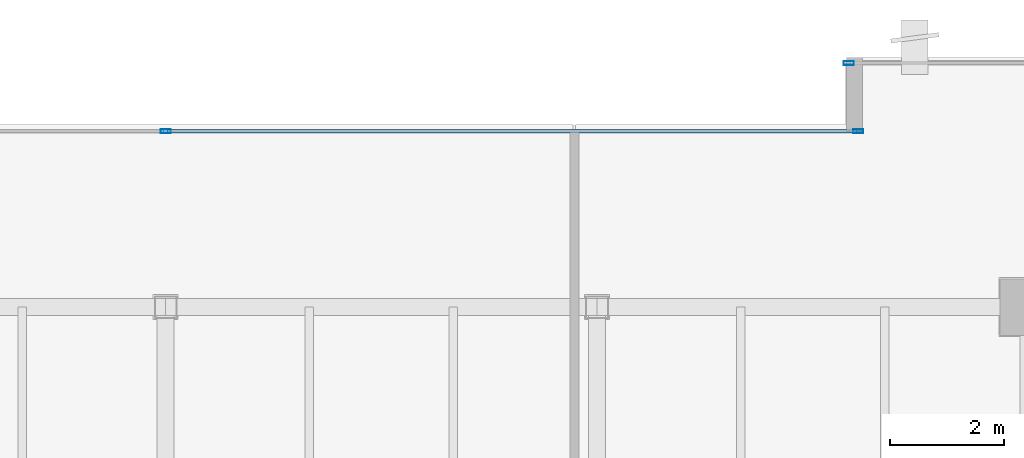
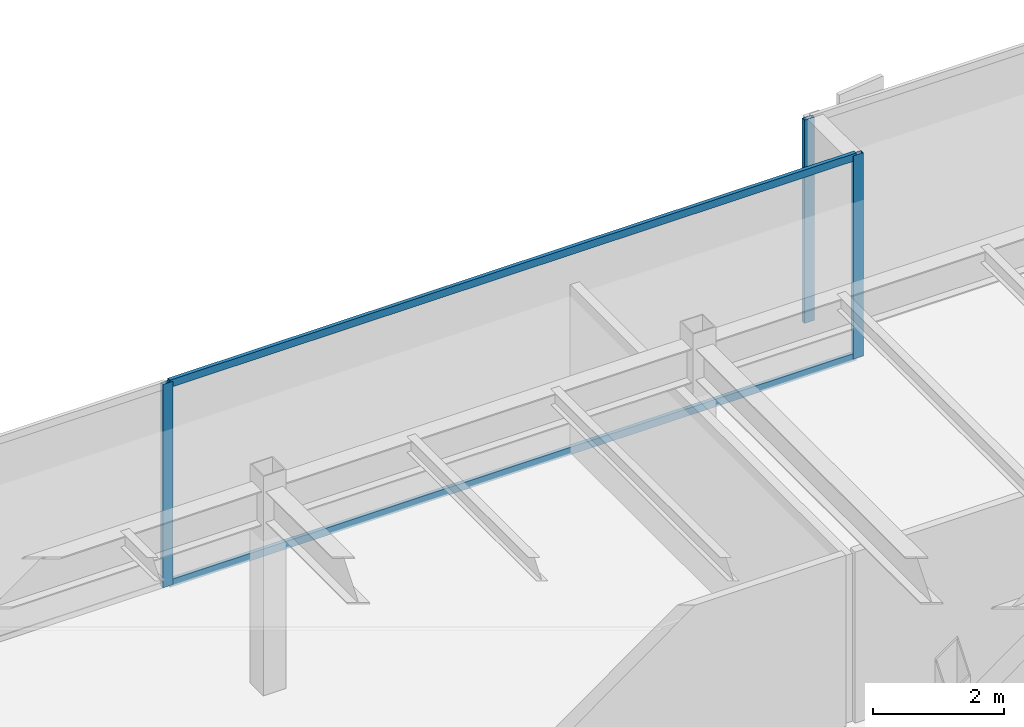
# One storey, part 19 of 36: 5 members, 2 elements without a shape of their own.
"""IFC4 building model written with IfcOpenShell, lengths in metres."""

import ifcopenshell
import ifcopenshell.guid

model = None  # the IFC model being written
_history = None  # IfcOwnerHistory: only IFC2X3 demands one
_inside = {}  # id of a spatial element -> (the spatial element, [elements in it])
_under = {}  # id of a project, library or spatial element -> (it, [spatial elements below it])
_declared = {}  # id of a project -> (the project, [libraries it declares])
_typed = {}  # id of a type object -> (the type object, [elements of that type])
_made_of = {}  # id of a material, layer set ... -> (it, [elements and type objects made of it])


def new_model(schema):
    """Start an empty IFC model of exactly this schema.

    Asked for "IFC4X3", IfcOpenShell would pick the latest addendum, in which some entities
    have other attributes; the version numbers below select the first issue.
    IFC2X3 requires an IfcOwnerHistory on every rooted entity: one is made here for all.
    """
    global model, _history
    if schema == "IFC4X3":
        model = ifcopenshell.file(schema_version=(4, 3, 0, 0))
    else:
        model = ifcopenshell.file(schema=schema)
    _inside.clear()
    _under.clear()
    _declared.clear()
    _typed.clear()
    _made_of.clear()
    _history = None
    if model.schema == "IFC2X3":
        org = make("IfcOrganization", Name="unknown")
        user = make(
            "IfcPersonAndOrganization",
            ThePerson=make("IfcPerson", FamilyName="unknown"),
            TheOrganization=org,
        )
        app = make(
            "IfcApplication",
            ApplicationDeveloper=org,
            Version="unknown",
            ApplicationFullName="unknown",
            ApplicationIdentifier="unknown",
        )
        _history = make(
            "IfcOwnerHistory",
            OwningUser=user,
            OwningApplication=app,
            ChangeAction="ADDED",
            CreationDate=0,
        )
    return model


def make(cls, **values):
    """One entity of the class cls with the attributes given. An attribute that is None is left unset."""
    return model.create_entity(
        cls, **{name: value for name, value in values.items() if value is not None}
    )


def rooted(cls, **values):
    """An entity with a GlobalId (a new one), such as an element, a storey or a relation."""
    return make(cls, GlobalId=ifcopenshell.guid.new(), OwnerHistory=_history, **values)


def si_unit(unit_type, name, prefix=None):
    """IfcSIUnit, for example si_unit("LENGTHUNIT", "METRE", prefix="MILLI")."""
    return make("IfcSIUnit", UnitType=unit_type, Prefix=prefix, Name=name)


def assignment(units):
    """IfcUnitAssignment: the units of a project."""
    return None if units is None else make("IfcUnitAssignment", Units=units)


def point(xyz):
    """IfcCartesianPoint."""
    return None if xyz is None else make("IfcCartesianPoint", Coordinates=xyz)


def direction(xyz):
    """IfcDirection."""
    return None if xyz is None else make("IfcDirection", DirectionRatios=xyz)


def frame(location, z_axis=None, x_axis=None):
    """IfcAxis2Placement3D, a coordinate frame: its origin and axes. An axis left out is left unset."""
    return make(
        "IfcAxis2Placement3D",
        Location=point(location),
        Axis=direction(z_axis),
        RefDirection=direction(x_axis),
    )


def frame_2d(location, x_axis=None):
    """IfcAxis2Placement2D, a coordinate frame in the plane: its origin and x axis."""
    return make(
        "IfcAxis2Placement2D", Location=point(location), RefDirection=direction(x_axis)
    )


def origin():
    """The frame at (0, 0, 0) with its axes left unset."""
    return frame((0.0, 0.0, 0.0))


def origin_2d():
    """The frame at (0, 0) in the plane with its x axis left unset."""
    return frame_2d((0.0, 0.0))


def place(relative_to, where):
    """IfcLocalPlacement: puts the frame where relative to a parent placement (None: the world)."""
    return make(
        "IfcLocalPlacement", PlacementRelTo=relative_to, RelativePlacement=where
    )


def context(
    kind, dimensions, precision=None, world=None, true_north=None, identifier=None
):
    """IfcGeometricRepresentationContext, for example the 3D "Model" context."""
    return make(
        "IfcGeometricRepresentationContext",
        ContextIdentifier=identifier,
        ContextType=kind,
        CoordinateSpaceDimension=dimensions,
        Precision=precision,
        WorldCoordinateSystem=world,
        TrueNorth=true_north,
    )


def subcontext(parent, identifier, kind, view, scale=None):
    """IfcGeometricRepresentationSubContext, for example "Body" below "Model"."""
    return make(
        "IfcGeometricRepresentationSubContext",
        ContextIdentifier=identifier,
        ContextType=kind,
        ParentContext=parent,
        TargetScale=scale,
        TargetView=view,
    )


def project(units=None, contexts=None):
    """IfcProject with its units and contexts."""
    return rooted(
        "IfcProject",
        Name="project",
        RepresentationContexts=contexts,
        UnitsInContext=assignment(units),
    )


def spatial(cls, under=None, at=None, **own):
    """A site, building, storey or space (cls), placed at a placement, below another one or the project."""
    s = rooted(cls, ObjectPlacement=at, **own)
    if under is not None:
        _under.setdefault(under.id(), (under, []))[1].append(s)
    return s


def profile(cls, at=None, kind="AREA", **sizes):
    """A parametric profile (cls). Its sizes go by their IFC names, for example OverallWidth=200.0."""
    return make(cls, ProfileType=kind, Position=at, **sizes)


def hollow_rectangle(**sizes):
    """IfcRectangleHollowProfileDef."""
    return profile("IfcRectangleHollowProfileDef", **sizes)


def extrude(swept, where, along, depth):
    """IfcExtrudedAreaSolid: the profile swept, set in the frame where, extruded along a direction by depth."""
    return make(
        "IfcExtrudedAreaSolid",
        SweptArea=swept,
        Position=where,
        ExtrudedDirection=direction(along),
        Depth=depth,
    )


def shape(context_of_items, identifier, shape_type, items):
    """IfcShapeRepresentation: the items that make up one representation, for example the "Body"."""
    return make(
        "IfcShapeRepresentation",
        ContextOfItems=context_of_items,
        RepresentationIdentifier=identifier,
        RepresentationType=shape_type,
        Items=items,
    )


def source(mapping_origin, context_of_items, identifier, shape_type, items):
    """IfcRepresentationMap: a shape defined once, which mapped items show again and again."""
    return make(
        "IfcRepresentationMap",
        MappingOrigin=mapping_origin,
        MappedRepresentation=shape(context_of_items, identifier, shape_type, items),
    )


def transform(
    local_origin,
    x_axis=None,
    y_axis=None,
    z_axis=None,
    scale=None,
    scale2=None,
    scale3=None,
    uniform=True,
):
    """IfcCartesianTransformationOperator3D, or its non-uniform kind. x_axis, y_axis, z_axis: its Axis1, 2, 3."""
    if uniform:
        return make(
            "IfcCartesianTransformationOperator3D",
            Axis1=direction(x_axis),
            Axis2=direction(y_axis),
            LocalOrigin=point(local_origin),
            Scale=scale,
            Axis3=direction(z_axis),
        )
    return make(
        "IfcCartesianTransformationOperator3DnonUniform",
        Axis1=direction(x_axis),
        Axis2=direction(y_axis),
        LocalOrigin=point(local_origin),
        Scale=scale,
        Axis3=direction(z_axis),
        Scale2=scale2,
        Scale3=scale3,
    )


def mapped(mapping_source, mapping_target):
    """IfcMappedItem: shows the shape of a source again, moved by a transform."""
    return make(
        "IfcMappedItem", MappingSource=mapping_source, MappingTarget=mapping_target
    )


def material(Name=None, Category=None):
    """IfcMaterial."""
    return make("IfcMaterial", Name=Name, Category=Category)


def layer(
    of_material, thickness, ventilated=None, Name=None, Category=None, Priority=None
):
    """IfcMaterialLayer: one layer of a wall or slab, of a material (None: an air gap)."""
    return make(
        "IfcMaterialLayer",
        Material=of_material,
        LayerThickness=thickness,
        IsVentilated=ventilated,
        Name=Name,
        Category=Category,
        Priority=Priority,
    )


def layer_set(layers, Name=None):
    """IfcMaterialLayerSet."""
    return make("IfcMaterialLayerSet", MaterialLayers=layers, LayerSetName=Name)


def material_profile(
    of_material, cross_section, Name=None, Category=None, Priority=None
):
    """IfcMaterialProfile: a cross section and its material."""
    return make(
        "IfcMaterialProfile",
        Name=Name,
        Material=of_material,
        Profile=cross_section,
        Priority=Priority,
        Category=Category,
    )


def profile_set(profiles, Name=None, composite=None):
    """IfcMaterialProfileSet."""
    return make(
        "IfcMaterialProfileSet",
        Name=Name,
        MaterialProfiles=profiles,
        CompositeProfile=composite,
    )


def made_of(thing, what):
    """Note that an element or type object is made of a material, layer set ...; save() writes the relation."""
    if what is not None:
        _made_of.setdefault(what.id(), (what, []))[1].append(thing)
    return thing


def type_object(cls, material=None, **own):
    """A type object (cls), such as IfcWallType, which elements share."""
    return made_of(rooted(cls, **own), material)


def type_shapes(of_type, sources):
    """Give a type object the sources (RepresentationMaps) that its elements show as mapped items."""
    of_type.RepresentationMaps = sources


def element(
    cls,
    number,
    at=None,
    inside=None,
    cuts=None,
    type_object=None,
    material=None,
    context=None,
    identifier="Body",
    shape_type=None,
    held_by="IfcProductDefinitionShape",
    body=None,
    shapes=None,
    **own,
):
    """One element of the class cls, such as IfcWall. Its Tag is "e" and its number.

    at: its placement. inside: the storey or other place that contains it. cuts: it is an
    opening in that element (IfcRelVoidsElement). A single representation is given by context,
    identifier, shape_type and body (its items); several are given by shapes. held_by: the class
    of the entity that holds the representations. save() writes the other relations.
    """
    e = rooted(cls, Tag="e%d" % number, ObjectPlacement=at, **own)
    if body is not None:
        shapes = [shape(context, identifier, shape_type, body)]
    if shapes is not None:
        e.Representation = make(held_by, Representations=shapes)
    if inside is not None:
        _inside.setdefault(inside.id(), (inside, []))[1].append(e)
    if cuts is not None:
        rooted(
            "IfcRelVoidsElement", RelatingBuildingElement=cuts, RelatedOpeningElement=e
        )
    if type_object is not None:
        _typed.setdefault(type_object.id(), (type_object, []))[1].append(e)
    return made_of(e, material)


def aggregate(whole, parts):
    """IfcRelAggregates: a whole, such as a stair, and the parts it consists of."""
    return rooted("IfcRelAggregates", RelatingObject=whole, RelatedObjects=parts)


def save(model, path):
    """Write the relations noted so far, then the file.

    IfcRelAggregates (storeys below a building ...), IfcRelContainedInSpatialStructure (elements
    in a storey), IfcRelDefinesByType, IfcRelAssociatesMaterial and IfcRelDeclares: one each for
    every whole, place, type object, material and project.
    """
    for whole, parts in _under.values():
        aggregate(whole, parts)
    for where, things in _inside.values():
        rooted(
            "IfcRelContainedInSpatialStructure",
            RelatedElements=things,
            RelatingStructure=where,
        )
    for kind, things in _typed.values():
        rooted("IfcRelDefinesByType", RelatedObjects=things, RelatingType=kind)
    for what, things in _made_of.values():
        rooted("IfcRelAssociatesMaterial", RelatedObjects=things, RelatingMaterial=what)
    for by, libraries in _declared.values():
        rooted("IfcRelDeclares", RelatingContext=by, RelatedDefinitions=libraries)
    model.write(path)


model = new_model("IFC4")

# Units and contexts
model_context = context("Model", 3, precision=1e-05, world=origin(), true_north=direction((0.0, 1.0)))
body_context = subcontext(model_context, "Body", "Model", "MODEL_VIEW")
ifc_project = project(units=[si_unit("LENGTHUNIT", "METRE"), si_unit("AREAUNIT", "SQUARE_METRE"), si_unit("VOLUMEUNIT", "CUBIC_METRE"), si_unit("PLANEANGLEUNIT", "RADIAN"), si_unit("MASSUNIT", "GRAM", prefix="KILO")], contexts=[model_context])

# Site, building, storey
site_placement = place(None, origin())
site = spatial("IfcSite", under=ifc_project, at=site_placement, CompositionType="ELEMENT")
building_placement = place(site_placement, origin())
building = spatial("IfcBuilding", under=site, at=building_placement, Name="Haelvirn Gate Laboratories", CompositionType="ELEMENT")
storey_placement = place(building_placement, frame((0.0, 0.0, 242.39990234375)))
storey = spatial("IfcBuildingStorey", under=building, at=storey_placement, Name="L58", CompositionType="ELEMENT", Elevation=242.39990234375)

# Curtain wall, members
ifc_material_1 = material(Name="Anodised bronze unitised aluminium & triple low-E glass", Category="aluminium")
ifc_layer = layer(ifc_material_1, 0.176025390625, Name="CW-SYS-4")
ifc_layer_set = layer_set([ifc_layer], Name="Anodised bronze unitised aluminium & triple low-E glass")
curtain_wall_type = type_object("IfcCurtainWallType", Name="CW-SYS-4", PredefinedType="NOTDEFINED", material=ifc_layer_set)
curtain_wall_1_placement = place(storey_placement, origin())
curtain_wall_1 = element("IfcCurtainWall", 1, at=curtain_wall_1_placement, inside=storey, type_object=curtain_wall_type, Name="L58 Unitised Curtain Wall CW-L58-P0-E12-1", PredefinedType="NOTDEFINED")
ifc_material_2 = material(Name="Extruded aluminium 6063-T6 (anodised bronze)", Category="aluminium")
ifc_material_profile_1 = material_profile(ifc_material_2, hollow_rectangle(XDim=0.06494140625, YDim=0.139892578125, WallThickness=0.00390625, at=origin_2d()), Name="CWT-140x65x4")
ifc_profile_set_1 = profile_set([ifc_material_profile_1], Name="Extruded aluminium 6063-T6 (anodised bronze)")
member_type_1 = type_object("IfcMemberType", Name="CWT-T140", PredefinedType="USERDEFINED", material=ifc_profile_set_1)
shared_shape_1 = source(origin(), body_context, "Body", "SweptSolid", [
    extrude(hollow_rectangle(XDim=0.06494140625, YDim=0.139892578125, WallThickness=0.00390625, at=origin_2d()), origin(), (0.0, 0.0, 1.0), 12.135009765625),
])
type_shapes(member_type_1, [shared_shape_1])
member_1_placement = place(storey_placement, frame((37.43505859375, 44.699951171875, 0.03271484375), z_axis=(1.0, 0.0, 0.0), x_axis=(0.0, 1.0, 0.0)))
member_1 = element("IfcMember", 2, at=member_1_placement, type_object=member_type_1, Name="CW4 transom 2.1", ObjectType="TRANSOM", PredefinedType="USERDEFINED", context=body_context, shape_type="MappedRepresentation", body=[
    mapped(shared_shape_1, transform((0.0, 0.0, 0.0), scale=1.0)),
])
member_2_placement = place(storey_placement, frame((37.43505859375, 44.699951171875, 3.767578125), z_axis=(1.0, 0.0, 0.0), x_axis=(0.0, 1.0, 0.0)))
member_2 = element("IfcMember", 3, at=member_2_placement, type_object=member_type_1, Name="CW4 transom 2.2", ObjectType="TRANSOM", PredefinedType="USERDEFINED", context=body_context, shape_type="MappedRepresentation", body=[
    mapped(shared_shape_1, transform((0.0, 0.0, 0.0), scale=1.0)),
])

# Curtain wall, member
curtain_wall_2_placement = place(storey_placement, origin())
curtain_wall_2 = element("IfcCurtainWall", 4, at=curtain_wall_2_placement, inside=storey, type_object=curtain_wall_type, Name="L58 Unitised Curtain Wall CW-L58-P0-E10-1", PredefinedType="NOTDEFINED")
ifc_material_profile_2 = material_profile(ifc_material_2, hollow_rectangle(XDim=0.070068359375, YDim=0.179931640625, WallThickness=0.0048828125, at=origin_2d()), Name="CWM-180x70x5")
ifc_profile_set_2 = profile_set([ifc_material_profile_2], Name="Extruded aluminium 6063-T6 (anodised bronze)")
member_type_2 = type_object("IfcMemberType", Name="CWM-T180", PredefinedType="MULLION", material=ifc_profile_set_2)
shared_shape_2 = source(origin(), body_context, "Body", "SweptSolid", [
    extrude(hollow_rectangle(XDim=0.070068359375, YDim=0.179931640625, WallThickness=0.0048828125, at=origin_2d()), origin(), (0.0, 0.0, 1.0), 3.800048828125),
])
type_shapes(member_type_2, [shared_shape_2])
member_3_placement = place(storey_placement, frame((49.43505859375, 45.89990234375, 0.0), z_axis=(0.0, 0.0, 1.0), x_axis=(0.0, 1.0, 0.0)))
member_3 = element("IfcMember", 5, at=member_3_placement, type_object=member_type_2, Name="CW4 mullion 1", PredefinedType="MULLION", context=body_context, shape_type="MappedRepresentation", body=[
    mapped(shared_shape_2, transform((0.0, 0.0, 0.0), scale=1.0)),
])
aggregate(curtain_wall_2, [member_3])

# Member
member_4_placement = place(storey_placement, frame((37.39990234375, 44.699951171875, 0.0), z_axis=(0.0, 0.0, 1.0), x_axis=(0.0, 1.0, 0.0)))
member_4 = element("IfcMember", 6, at=member_4_placement, type_object=member_type_2, Name="CW4 mullion 2", PredefinedType="MULLION", context=body_context, shape_type="MappedRepresentation", body=[
    mapped(shared_shape_2, transform((0.0, 0.0, 0.0), scale=1.0)),
])

member_5_placement = place(storey_placement, frame((49.60498046875, 44.699951171875, 0.0), z_axis=(0.0, 0.0, 1.0), x_axis=(0.0, 1.0, 0.0)))
member_5 = element("IfcMember", 7, at=member_5_placement, type_object=member_type_2, Name="CW4 mullion 3", PredefinedType="MULLION", context=body_context, shape_type="MappedRepresentation", body=[
    mapped(shared_shape_2, transform((0.0, 0.0, 0.0), scale=1.0)),
])

aggregate(curtain_wall_1, [member_4, member_5, member_1, member_2])

save(model, "model.ifc")
